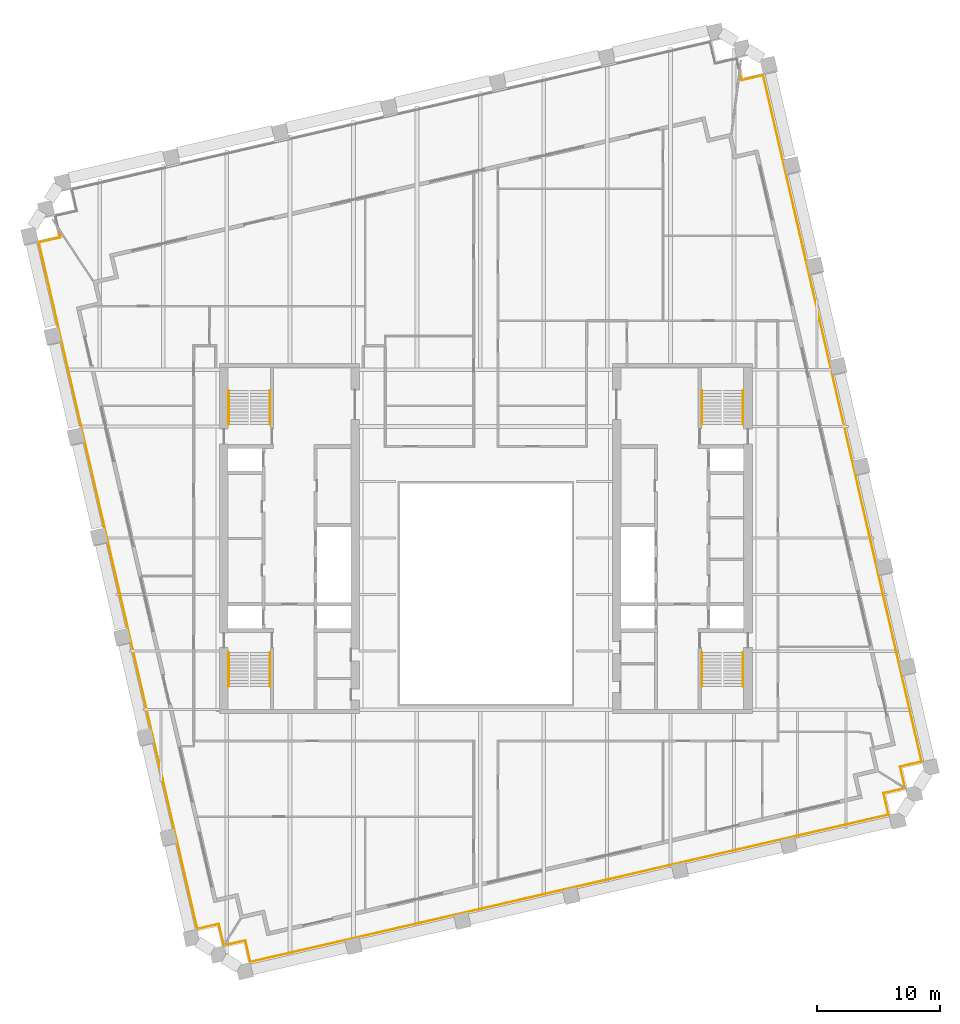
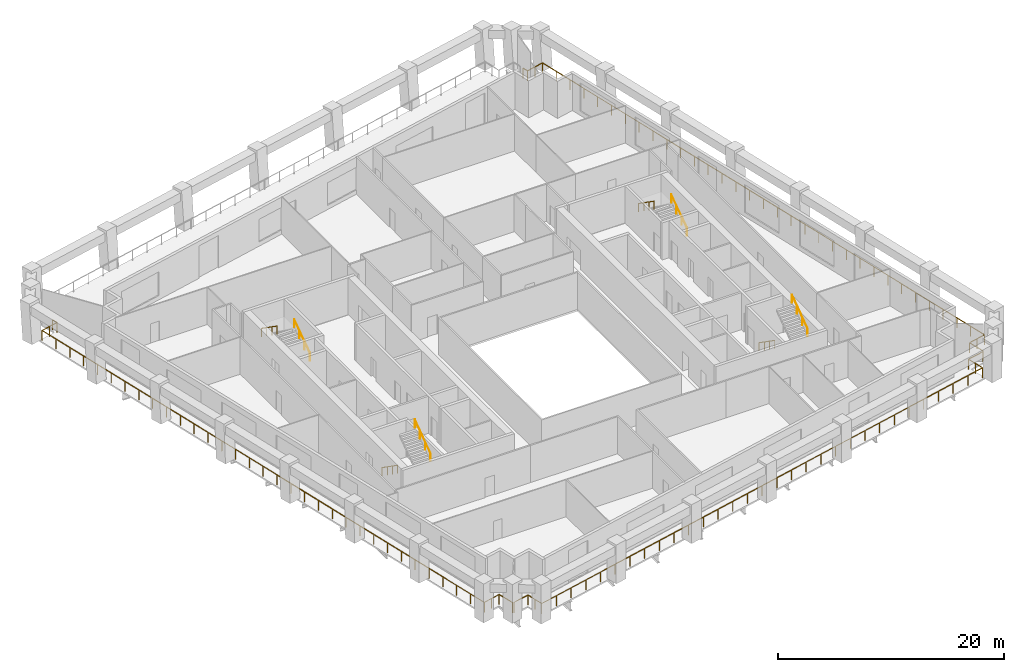
# One storey, part 10 of 11: 11 railings.
"""IFC4 building model written with IfcOpenShell, lengths in metres."""

from ifc_helpers import new_model, si_unit, direction, frame, origin, origin_2d, place, context, subcontext, project, spatial, circle, extrude, material, type_object, element, save


model = new_model("IFC4")

# Units and contexts
model_context = context("Model", 3, precision=1e-05, world=origin(), true_north=direction((0.0, 1.0)))
body_context = subcontext(model_context, "Body", "Model", "MODEL_VIEW")
ifc_project = project(units=[si_unit("LENGTHUNIT", "METRE"), si_unit("AREAUNIT", "SQUARE_METRE"), si_unit("VOLUMEUNIT", "CUBIC_METRE"), si_unit("PLANEANGLEUNIT", "RADIAN"), si_unit("MASSUNIT", "GRAM", prefix="KILO")], contexts=[model_context])

# Site, building, storey
site_placement = place(None, origin())
site = spatial("IfcSite", under=ifc_project, at=site_placement, CompositionType="ELEMENT")
building_placement = place(site_placement, origin())
building = spatial("IfcBuilding", under=site, at=building_placement, Name="Ogive Exchange Tower", CompositionType="ELEMENT")
storey_placement = place(building_placement, frame((0.0, 0.0, 213.60009765625)))
storey = spatial("IfcBuildingStorey", under=building, at=storey_placement, Name="L47", CompositionType="ELEMENT", Elevation=213.60009765625)

# Railings
ifc_material_1 = material(Name="Stainless steel 316", Category="steel")
railing_type_1 = type_object("IfcRailingType", Name="Guard 1100 stainless steel and glass", PredefinedType="GUARDRAIL", material=ifc_material_1)
railing_1_placement = place(storey_placement, frame((34.067138671875, -8.864013671875, -0.050048828125)))
element("IfcRailing", 1, at=railing_1_placement, inside=storey, type_object=railing_type_1, Name="Loggia guard 1", PredefinedType="GUARDRAIL", context=body_context, shape_type="SweptSolid", body=[
    extrude(circle(Radius=0.02392578125, at=origin_2d()), frame((0.0, 0.0, 1.076171875), z_axis=(-0.974364690374, -0.224974332206, 0.0), x_axis=(0.224974332206, -0.974364690374, 0.0)), (0.0, 0.0, 1.0), 1.7080078125),
    extrude(circle(Radius=0.02392578125, at=origin_2d()), frame((-1.664306640625, -0.38427734375, 1.076171875), z_axis=(0.224879318197, -0.974386623598, 0.0), x_axis=(0.974386623598, 0.224879318197, 0.0)), (0.0, 0.0, 1.0), 1.800048828125),
    extrude(circle(Radius=0.02392578125, at=origin_2d()), frame((-1.259521484375, -2.13818359375, 1.076171875), z_axis=(-0.97436998541, -0.224951398156, 0.0), x_axis=(0.224951398156, -0.97436998541, 0.0)), (0.0, 0.0, 1.0), 53.360107421875),
    extrude(circle(Radius=0.02392578125, at=origin_2d()), frame((-53.251953125, -14.1416015625, 1.076171875), z_axis=(-0.224879318197, 0.974386623598, 0.0), x_axis=(-0.974386623598, -0.224879318197, 0.0)), (0.0, 0.0, 1.0), 1.800048828125),
    extrude(circle(Radius=0.02392578125, at=origin_2d()), frame((-53.65673828125, -12.3876953125, 1.076171875), z_axis=(-0.974364690374, -0.224974332206, 0.0), x_axis=(0.224974332206, -0.974364690374, 0.0)), (0.0, 0.0, 1.0), 1.7080078125),
    extrude(circle(Radius=0.02099609375, at=origin_2d()), origin(), (0.0, 0.0, 1.0), 1.052001953125),
    extrude(circle(Radius=0.02099609375, at=origin_2d()), frame((-1.664306640625, -0.38427734375, 0.0)), (0.0, 0.0, 1.0), 1.052001953125),
    extrude(circle(Radius=0.02099609375, at=origin_2d()), frame((-1.4619140625, -1.26123046875, 0.0)), (0.0, 0.0, 1.0), 1.052001953125),
    extrude(circle(Radius=0.02099609375, at=origin_2d()), frame((-1.259521484375, -2.13818359375, 0.0)), (0.0, 0.0, 1.0), 1.052001953125),
    extrude(circle(Radius=0.02099609375, at=origin_2d()), frame((-2.99267578125, -2.538330078125, 0.0)), (0.0, 0.0, 1.0), 1.052001953125),
    extrude(circle(Radius=0.02099609375, at=origin_2d()), frame((-4.7255859375, -2.9384765625, 0.0)), (0.0, 0.0, 1.0), 1.052001953125),
    extrude(circle(Radius=0.02099609375, at=origin_2d()), frame((-6.458740234375, -3.338623046875, 0.0)), (0.0, 0.0, 1.0), 1.052001953125),
    extrude(circle(Radius=0.02099609375, at=origin_2d()), frame((-8.19189453125, -3.738525390625, 0.0)), (0.0, 0.0, 1.0), 1.052001953125),
    extrude(circle(Radius=0.02099609375, at=origin_2d()), frame((-9.9248046875, -4.138671875, 0.0)), (0.0, 0.0, 1.0), 1.052001953125),
    extrude(circle(Radius=0.02099609375, at=origin_2d()), frame((-11.657958984375, -4.538818359375, 0.0)), (0.0, 0.0, 1.0), 1.052001953125),
    extrude(circle(Radius=0.02099609375, at=origin_2d()), frame((-13.39111328125, -4.93896484375, 0.0)), (0.0, 0.0, 1.0), 1.052001953125),
    extrude(circle(Radius=0.02099609375, at=origin_2d()), frame((-15.124267578125, -5.339111328125, 0.0)), (0.0, 0.0, 1.0), 1.052001953125),
    extrude(circle(Radius=0.02099609375, at=origin_2d()), frame((-16.857177734375, -5.7392578125, 0.0)), (0.0, 0.0, 1.0), 1.052001953125),
    extrude(circle(Radius=0.02099609375, at=origin_2d()), frame((-18.59033203125, -6.139404296875, 0.0)), (0.0, 0.0, 1.0), 1.052001953125),
    extrude(circle(Radius=0.02099609375, at=origin_2d()), frame((-20.323486328125, -6.53955078125, 0.0)), (0.0, 0.0, 1.0), 1.052001953125),
    extrude(circle(Radius=0.02099609375, at=origin_2d()), frame((-22.056396484375, -6.939453125, 0.0)), (0.0, 0.0, 1.0), 1.052001953125),
    extrude(circle(Radius=0.02099609375, at=origin_2d()), frame((-23.78955078125, -7.339599609375, 0.0)), (0.0, 0.0, 1.0), 1.052001953125),
    extrude(circle(Radius=0.02099609375, at=origin_2d()), frame((-25.522705078125, -7.73974609375, 0.0)), (0.0, 0.0, 1.0), 1.052001953125),
    extrude(circle(Radius=0.02099609375, at=origin_2d()), frame((-27.255859375, -8.139892578125, 0.0)), (0.0, 0.0, 1.0), 1.052001953125),
    extrude(circle(Radius=0.02099609375, at=origin_2d()), frame((-28.98876953125, -8.5400390625, 0.0)), (0.0, 0.0, 1.0), 1.052001953125),
    extrude(circle(Radius=0.02099609375, at=origin_2d()), frame((-30.721923828125, -8.940185546875, 0.0)), (0.0, 0.0, 1.0), 1.052001953125),
    extrude(circle(Radius=0.02099609375, at=origin_2d()), frame((-32.455078125, -9.34033203125, 0.0)), (0.0, 0.0, 1.0), 1.052001953125),
    extrude(circle(Radius=0.02099609375, at=origin_2d()), frame((-34.18798828125, -9.740234375, 0.0)), (0.0, 0.0, 1.0), 1.052001953125),
    extrude(circle(Radius=0.02099609375, at=origin_2d()), frame((-35.921142578125, -10.140380859375, 0.0)), (0.0, 0.0, 1.0), 1.052001953125),
    extrude(circle(Radius=0.02099609375, at=origin_2d()), frame((-37.654296875, -10.54052734375, 0.0)), (0.0, 0.0, 1.0), 1.052001953125),
    extrude(circle(Radius=0.02099609375, at=origin_2d()), frame((-39.38720703125, -10.940673828125, 0.0)), (0.0, 0.0, 1.0), 1.052001953125),
    extrude(circle(Radius=0.02099609375, at=origin_2d()), frame((-41.120361328125, -11.3408203125, 0.0)), (0.0, 0.0, 1.0), 1.052001953125),
    extrude(circle(Radius=0.02099609375, at=origin_2d()), frame((-42.853515625, -11.740966796875, 0.0)), (0.0, 0.0, 1.0), 1.052001953125),
    extrude(circle(Radius=0.02099609375, at=origin_2d()), frame((-44.58642578125, -12.14111328125, 0.0)), (0.0, 0.0, 1.0), 1.052001953125),
    extrude(circle(Radius=0.02099609375, at=origin_2d()), frame((-46.319580078125, -12.541259765625, 0.0)), (0.0, 0.0, 1.0), 1.052001953125),
    extrude(circle(Radius=0.02099609375, at=origin_2d()), frame((-48.052734375, -12.941162109375, 0.0)), (0.0, 0.0, 1.0), 1.052001953125),
    extrude(circle(Radius=0.02099609375, at=origin_2d()), frame((-49.785888671875, -13.34130859375, 0.0)), (0.0, 0.0, 1.0), 1.052001953125),
    extrude(circle(Radius=0.02099609375, at=origin_2d()), frame((-51.518798828125, -13.741455078125, 0.0)), (0.0, 0.0, 1.0), 1.052001953125),
    extrude(circle(Radius=0.02099609375, at=origin_2d()), frame((-53.251953125, -14.1416015625, 0.0)), (0.0, 0.0, 1.0), 1.052001953125),
    extrude(circle(Radius=0.02099609375, at=origin_2d()), frame((-53.454345703125, -13.2646484375, 0.0)), (0.0, 0.0, 1.0), 1.052001953125),
    extrude(circle(Radius=0.02099609375, at=origin_2d()), frame((-53.65673828125, -12.3876953125, 0.0)), (0.0, 0.0, 1.0), 1.052001953125),
    extrude(circle(Radius=0.02099609375, at=origin_2d()), frame((-55.321044921875, -12.77197265625, 0.0)), (0.0, 0.0, 1.0), 1.052001953125),
])
railing_2_placement = place(storey_placement, frame((-21.364013671875, -21.567138671875, -0.050048828125)))
element("IfcRailing", 2, at=railing_2_placement, inside=storey, type_object=railing_type_1, Name="Loggia guard 2", PredefinedType="GUARDRAIL", context=body_context, shape_type="SweptSolid", body=[
    extrude(circle(Radius=0.02392578125, at=origin_2d()), frame((0.0, 0.0, 1.076171875), z_axis=(-0.224974332206, 0.974364690374, 0.0), x_axis=(-0.974364690374, -0.224974332206, 0.0)), (0.0, 0.0, 1.0), 1.7080078125),
    extrude(circle(Radius=0.02392578125, at=origin_2d()), frame((-0.38427734375, 1.664306640625, 1.076171875), z_axis=(-0.974386623598, -0.224879318197, 0.0), x_axis=(0.224879318197, -0.974386623598, 0.0)), (0.0, 0.0, 1.0), 1.800048828125),
    extrude(circle(Radius=0.02392578125, at=origin_2d()), frame((-2.13818359375, 1.259521484375, 1.076171875), z_axis=(-0.224953328077, 0.97436953985, 0.0), x_axis=(-0.97436953985, -0.224953328077, 0.0)), (0.0, 0.0, 1.0), 57.3935546875),
    extrude(circle(Radius=0.02392578125, at=origin_2d()), frame((-15.049072265625, 57.18212890625, 1.076171875), z_axis=(0.974386623598, 0.224879318197, 0.0), x_axis=(-0.224879318197, 0.974386623598, 0.0)), (0.0, 0.0, 1.0), 1.800048828125),
    extrude(circle(Radius=0.02392578125, at=origin_2d()), frame((-13.295166015625, 57.5869140625, 1.076171875), z_axis=(-0.224921847326, 0.974376807296, 0.0), x_axis=(-0.974376807296, -0.224921847326, 0.0)), (0.0, 0.0, 1.0), 0.572021484375),
    extrude(circle(Radius=0.02099609375, at=origin_2d()), origin(), (0.0, 0.0, 1.0), 1.052001953125),
    extrude(circle(Radius=0.02099609375, at=origin_2d()), frame((-0.38427734375, 1.664306640625, 0.0)), (0.0, 0.0, 1.0), 1.052001953125),
    extrude(circle(Radius=0.02099609375, at=origin_2d()), frame((-1.26123046875, 1.4619140625, 0.0)), (0.0, 0.0, 1.0), 1.052001953125),
    extrude(circle(Radius=0.02099609375, at=origin_2d()), frame((-2.13818359375, 1.259521484375, 0.0)), (0.0, 0.0, 1.0), 1.052001953125),
    extrude(circle(Radius=0.02099609375, at=origin_2d()), frame((-2.541748046875, 3.007080078125, 0.0)), (0.0, 0.0, 1.0), 1.052001953125),
    extrude(circle(Radius=0.02099609375, at=origin_2d()), frame((-2.945068359375, 4.754638671875, 0.0)), (0.0, 0.0, 1.0), 1.052001953125),
    extrude(circle(Radius=0.02099609375, at=origin_2d()), frame((-3.3486328125, 6.502197265625, 0.0)), (0.0, 0.0, 1.0), 1.052001953125),
    extrude(circle(Radius=0.02099609375, at=origin_2d()), frame((-3.751953125, 8.249755859375, 0.0)), (0.0, 0.0, 1.0), 1.052001953125),
    extrude(circle(Radius=0.02099609375, at=origin_2d()), frame((-4.155517578125, 9.997314453125, 0.0)), (0.0, 0.0, 1.0), 1.052001953125),
    extrude(circle(Radius=0.02099609375, at=origin_2d()), frame((-4.55908203125, 11.7451171875, 0.0)), (0.0, 0.0, 1.0), 1.052001953125),
    extrude(circle(Radius=0.02099609375, at=origin_2d()), frame((-4.96240234375, 13.49267578125, 0.0)), (0.0, 0.0, 1.0), 1.052001953125),
    extrude(circle(Radius=0.02099609375, at=origin_2d()), frame((-5.365966796875, 15.240234375, 0.0)), (0.0, 0.0, 1.0), 1.052001953125),
    extrude(circle(Radius=0.02099609375, at=origin_2d()), frame((-5.769287109375, 16.98779296875, 0.0)), (0.0, 0.0, 1.0), 1.052001953125),
    extrude(circle(Radius=0.02099609375, at=origin_2d()), frame((-6.1728515625, 18.7353515625, 0.0)), (0.0, 0.0, 1.0), 1.052001953125),
    extrude(circle(Radius=0.02099609375, at=origin_2d()), frame((-6.576416015625, 20.48291015625, 0.0)), (0.0, 0.0, 1.0), 1.052001953125),
    extrude(circle(Radius=0.02099609375, at=origin_2d()), frame((-6.979736328125, 22.23046875, 0.0)), (0.0, 0.0, 1.0), 1.052001953125),
    extrude(circle(Radius=0.02099609375, at=origin_2d()), frame((-7.38330078125, 23.97802734375, 0.0)), (0.0, 0.0, 1.0), 1.052001953125),
    extrude(circle(Radius=0.02099609375, at=origin_2d()), frame((-7.78662109375, 25.7255859375, 0.0)), (0.0, 0.0, 1.0), 1.052001953125),
    extrude(circle(Radius=0.02099609375, at=origin_2d()), frame((-8.190185546875, 27.47314453125, 0.0)), (0.0, 0.0, 1.0), 1.052001953125),
    extrude(circle(Radius=0.02099609375, at=origin_2d()), frame((-8.59375, 29.220703125, 0.0)), (0.0, 0.0, 1.0), 1.052001953125),
    extrude(circle(Radius=0.02099609375, at=origin_2d()), frame((-8.9970703125, 30.968505859375, 0.0)), (0.0, 0.0, 1.0), 1.052001953125),
    extrude(circle(Radius=0.02099609375, at=origin_2d()), frame((-9.400634765625, 32.716064453125, 0.0)), (0.0, 0.0, 1.0), 1.052001953125),
    extrude(circle(Radius=0.02099609375, at=origin_2d()), frame((-9.803955078125, 34.463623046875, 0.0)), (0.0, 0.0, 1.0), 1.052001953125),
    extrude(circle(Radius=0.02099609375, at=origin_2d()), frame((-10.20751953125, 36.211181640625, 0.0)), (0.0, 0.0, 1.0), 1.052001953125),
    extrude(circle(Radius=0.02099609375, at=origin_2d()), frame((-10.61083984375, 37.958740234375, 0.0)), (0.0, 0.0, 1.0), 1.052001953125),
    extrude(circle(Radius=0.02099609375, at=origin_2d()), frame((-11.014404296875, 39.706298828125, 0.0)), (0.0, 0.0, 1.0), 1.052001953125),
    extrude(circle(Radius=0.02099609375, at=origin_2d()), frame((-11.41796875, 41.453857421875, 0.0)), (0.0, 0.0, 1.0), 1.052001953125),
    extrude(circle(Radius=0.02099609375, at=origin_2d()), frame((-11.8212890625, 43.201416015625, 0.0)), (0.0, 0.0, 1.0), 1.052001953125),
    extrude(circle(Radius=0.02099609375, at=origin_2d()), frame((-12.224853515625, 44.948974609375, 0.0)), (0.0, 0.0, 1.0), 1.052001953125),
    extrude(circle(Radius=0.02099609375, at=origin_2d()), frame((-12.628173828125, 46.696533203125, 0.0)), (0.0, 0.0, 1.0), 1.052001953125),
    extrude(circle(Radius=0.02099609375, at=origin_2d()), frame((-13.03173828125, 48.4443359375, 0.0)), (0.0, 0.0, 1.0), 1.052001953125),
    extrude(circle(Radius=0.02099609375, at=origin_2d()), frame((-13.435302734375, 50.19189453125, 0.0)), (0.0, 0.0, 1.0), 1.052001953125),
    extrude(circle(Radius=0.02099609375, at=origin_2d()), frame((-13.838623046875, 51.939453125, 0.0)), (0.0, 0.0, 1.0), 1.052001953125),
    extrude(circle(Radius=0.02099609375, at=origin_2d()), frame((-14.2421875, 53.68701171875, 0.0)), (0.0, 0.0, 1.0), 1.052001953125),
    extrude(circle(Radius=0.02099609375, at=origin_2d()), frame((-14.6455078125, 55.4345703125, 0.0)), (0.0, 0.0, 1.0), 1.052001953125),
    extrude(circle(Radius=0.02099609375, at=origin_2d()), frame((-15.049072265625, 57.18212890625, 0.0)), (0.0, 0.0, 1.0), 1.052001953125),
    extrude(circle(Radius=0.02099609375, at=origin_2d()), frame((-14.172119140625, 57.384521484375, 0.0)), (0.0, 0.0, 1.0), 1.052001953125),
    extrude(circle(Radius=0.02099609375, at=origin_2d()), frame((-13.295166015625, 57.5869140625, 0.0)), (0.0, 0.0, 1.0), 1.052001953125),
    extrude(circle(Radius=0.02099609375, at=origin_2d()), frame((-13.423828125, 58.144287109375, 0.0)), (0.0, 0.0, 1.0), 1.052001953125),
])
railing_3_placement = place(storey_placement, frame((20.71240234375, 49.390380859375, -0.050048828125)))
element("IfcRailing", 3, at=railing_3_placement, inside=storey, type_object=railing_type_1, Name="Loggia guard 4", PredefinedType="GUARDRAIL", context=body_context, shape_type="SweptSolid", body=[
    extrude(circle(Radius=0.02392578125, at=origin_2d()), frame((0.0, 0.0, 1.076171875), z_axis=(0.224921847326, -0.974376807296, 0.0), x_axis=(0.974376807296, 0.224921847326, 0.0)), (0.0, 0.0, 1.0), 0.572021484375),
    extrude(circle(Radius=0.02392578125, at=origin_2d()), frame((0.128662109375, -0.557373046875, 1.076171875), z_axis=(0.974386623598, 0.224879318197, 0.0), x_axis=(-0.224879318197, 0.974386623598, 0.0)), (0.0, 0.0, 1.0), 1.800048828125),
    extrude(circle(Radius=0.02392578125, at=origin_2d()), frame((1.882568359375, -0.152587890625, 1.076171875), z_axis=(0.224949289537, -0.974370472221, 0.0), x_axis=(0.974370472221, 0.224949289537, 0.0)), (0.0, 0.0, 1.0), 57.3935546875),
    extrude(circle(Radius=0.02392578125, at=origin_2d()), frame((14.793212890625, -56.0751953125, 1.076171875), z_axis=(-0.974386623598, -0.224879318197, 0.0), x_axis=(0.224879318197, -0.974386623598, 0.0)), (0.0, 0.0, 1.0), 1.800048828125),
    extrude(circle(Radius=0.02392578125, at=origin_2d()), frame((13.039306640625, -56.47998046875, 1.076171875), z_axis=(0.224974332206, -0.974364690374, 0.0), x_axis=(0.974364690374, 0.224974332206, 0.0)), (0.0, 0.0, 1.0), 1.7080078125),
    extrude(circle(Radius=0.02099609375, at=origin_2d()), origin(), (0.0, 0.0, 1.0), 1.052001953125),
    extrude(circle(Radius=0.02099609375, at=origin_2d()), frame((0.128662109375, -0.557373046875, 0.0)), (0.0, 0.0, 1.0), 1.052001953125),
    extrude(circle(Radius=0.02099609375, at=origin_2d()), frame((1.005615234375, -0.35498046875, 0.0)), (0.0, 0.0, 1.0), 1.052001953125),
    extrude(circle(Radius=0.02099609375, at=origin_2d()), frame((1.882568359375, -0.152587890625, 0.0)), (0.0, 0.0, 1.0), 1.052001953125),
    extrude(circle(Radius=0.02099609375, at=origin_2d()), frame((2.2861328125, -1.900146484375, 0.0)), (0.0, 0.0, 1.0), 1.052001953125),
    extrude(circle(Radius=0.02099609375, at=origin_2d()), frame((2.689453125, -3.647705078125, 0.0)), (0.0, 0.0, 1.0), 1.052001953125),
    extrude(circle(Radius=0.02099609375, at=origin_2d()), frame((3.093017578125, -5.395263671875, 0.0)), (0.0, 0.0, 1.0), 1.052001953125),
    extrude(circle(Radius=0.02099609375, at=origin_2d()), frame((3.496337890625, -7.142822265625, 0.0)), (0.0, 0.0, 1.0), 1.052001953125),
    extrude(circle(Radius=0.02099609375, at=origin_2d()), frame((3.89990234375, -8.890380859375, 0.0)), (0.0, 0.0, 1.0), 1.052001953125),
    extrude(circle(Radius=0.02099609375, at=origin_2d()), frame((4.30322265625, -10.63818359375, 0.0)), (0.0, 0.0, 1.0), 1.052001953125),
    extrude(circle(Radius=0.02099609375, at=origin_2d()), frame((4.706787109375, -12.3857421875, 0.0)), (0.0, 0.0, 1.0), 1.052001953125),
    extrude(circle(Radius=0.02099609375, at=origin_2d()), frame((5.1103515625, -14.13330078125, 0.0)), (0.0, 0.0, 1.0), 1.052001953125),
    extrude(circle(Radius=0.02099609375, at=origin_2d()), frame((5.513671875, -15.880859375, 0.0)), (0.0, 0.0, 1.0), 1.052001953125),
    extrude(circle(Radius=0.02099609375, at=origin_2d()), frame((5.917236328125, -17.62841796875, 0.0)), (0.0, 0.0, 1.0), 1.052001953125),
    extrude(circle(Radius=0.02099609375, at=origin_2d()), frame((6.320556640625, -19.3759765625, 0.0)), (0.0, 0.0, 1.0), 1.052001953125),
    extrude(circle(Radius=0.02099609375, at=origin_2d()), frame((6.72412109375, -21.12353515625, 0.0)), (0.0, 0.0, 1.0), 1.052001953125),
    extrude(circle(Radius=0.02099609375, at=origin_2d()), frame((7.12744140625, -22.87109375, 0.0)), (0.0, 0.0, 1.0), 1.052001953125),
    extrude(circle(Radius=0.02099609375, at=origin_2d()), frame((7.531005859375, -24.61865234375, 0.0)), (0.0, 0.0, 1.0), 1.052001953125),
    extrude(circle(Radius=0.02099609375, at=origin_2d()), frame((7.934326171875, -26.3662109375, 0.0)), (0.0, 0.0, 1.0), 1.052001953125),
    extrude(circle(Radius=0.02099609375, at=origin_2d()), frame((8.337890625, -28.11376953125, 0.0)), (0.0, 0.0, 1.0), 1.052001953125),
    extrude(circle(Radius=0.02099609375, at=origin_2d()), frame((8.741455078125, -29.861572265625, 0.0)), (0.0, 0.0, 1.0), 1.052001953125),
    extrude(circle(Radius=0.02099609375, at=origin_2d()), frame((9.144775390625, -31.609130859375, 0.0)), (0.0, 0.0, 1.0), 1.052001953125),
    extrude(circle(Radius=0.02099609375, at=origin_2d()), frame((9.54833984375, -33.356689453125, 0.0)), (0.0, 0.0, 1.0), 1.052001953125),
    extrude(circle(Radius=0.02099609375, at=origin_2d()), frame((9.95166015625, -35.104248046875, 0.0)), (0.0, 0.0, 1.0), 1.052001953125),
    extrude(circle(Radius=0.02099609375, at=origin_2d()), frame((10.355224609375, -36.851806640625, 0.0)), (0.0, 0.0, 1.0), 1.052001953125),
    extrude(circle(Radius=0.02099609375, at=origin_2d()), frame((10.758544921875, -38.599365234375, 0.0)), (0.0, 0.0, 1.0), 1.052001953125),
    extrude(circle(Radius=0.02099609375, at=origin_2d()), frame((11.162109375, -40.346923828125, 0.0)), (0.0, 0.0, 1.0), 1.052001953125),
    extrude(circle(Radius=0.02099609375, at=origin_2d()), frame((11.5654296875, -42.094482421875, 0.0)), (0.0, 0.0, 1.0), 1.052001953125),
    extrude(circle(Radius=0.02099609375, at=origin_2d()), frame((11.968994140625, -43.842041015625, 0.0)), (0.0, 0.0, 1.0), 1.052001953125),
    extrude(circle(Radius=0.02099609375, at=origin_2d()), frame((12.37255859375, -45.589599609375, 0.0)), (0.0, 0.0, 1.0), 1.052001953125),
    extrude(circle(Radius=0.02099609375, at=origin_2d()), frame((12.77587890625, -47.33740234375, 0.0)), (0.0, 0.0, 1.0), 1.052001953125),
    extrude(circle(Radius=0.02099609375, at=origin_2d()), frame((13.179443359375, -49.0849609375, 0.0)), (0.0, 0.0, 1.0), 1.052001953125),
    extrude(circle(Radius=0.02099609375, at=origin_2d()), frame((13.582763671875, -50.83251953125, 0.0)), (0.0, 0.0, 1.0), 1.052001953125),
    extrude(circle(Radius=0.02099609375, at=origin_2d()), frame((13.986328125, -52.580078125, 0.0)), (0.0, 0.0, 1.0), 1.052001953125),
    extrude(circle(Radius=0.02099609375, at=origin_2d()), frame((14.3896484375, -54.32763671875, 0.0)), (0.0, 0.0, 1.0), 1.052001953125),
    extrude(circle(Radius=0.02099609375, at=origin_2d()), frame((14.793212890625, -56.0751953125, 0.0)), (0.0, 0.0, 1.0), 1.052001953125),
    extrude(circle(Radius=0.02099609375, at=origin_2d()), frame((13.916259765625, -56.277587890625, 0.0)), (0.0, 0.0, 1.0), 1.052001953125),
    extrude(circle(Radius=0.02099609375, at=origin_2d()), frame((13.039306640625, -56.47998046875, 0.0)), (0.0, 0.0, 1.0), 1.052001953125),
    extrude(circle(Radius=0.02099609375, at=origin_2d()), frame((13.423583984375, -58.144287109375, 0.0)), (0.0, 0.0, 1.0), 1.052001953125),
])
ifc_material_2 = material(Name="Stainless steel", Category="steel")
railing_type_2 = type_object("IfcRailingType", Name="Stair handrail 900", PredefinedType="HANDRAIL", material=ifc_material_2)
railing_4_placement = place(storey_placement, frame((-20.949951171875, 2.199951171875, 0.1748046875)))
element("IfcRailing", 4, at=railing_4_placement, inside=storey, type_object=railing_type_2, Name="L47 ST1 stair handrail 1", PredefinedType="HANDRAIL", context=body_context, shape_type="SweptSolid", body=[
    extrude(circle(Radius=0.02392578125, at=origin_2d()), frame((0.0, 0.0, 0.8759765625), z_axis=(0.0, -0.819225086817, 0.573472106672), x_axis=(1.0, 0.0, 0.0)), (0.0, 0.0, 1.0), 3.35693359375),
    extrude(circle(Radius=0.02099609375, at=origin_2d()), origin(), (0.0, 0.0, 1.0), 0.851806640625),
    extrude(circle(Radius=0.02099609375, at=origin_2d()), frame((0.0, -0.916748046875, 0.6416015625)), (0.0, 0.0, 1.0), 0.851806640625),
    extrude(circle(Radius=0.02099609375, at=origin_2d()), frame((0.0, -1.833251953125, 1.283447265625)), (0.0, 0.0, 1.0), 0.851806640625),
    extrude(circle(Radius=0.02099609375, at=origin_2d()), frame((0.0, -2.75, 1.925048828125)), (0.0, 0.0, 1.0), 0.851806640625),
])
for number, where, name in (
    (5, (-17.60009765625, -0.550048828125, 2.27490234375), "L47 ST1 stair handrail 2"),
    (6, (-17.60009765625, 20.800048828125, 0.1748046875), "L47 ST2 stair handrail 1"),
):
    element("IfcRailing", number, at=place(storey_placement, frame(where)), inside=storey, type_object=railing_type_2, Name=name, PredefinedType="HANDRAIL", context=body_context, shape_type="SweptSolid", body=[
        extrude(circle(Radius=0.02392578125, at=origin_2d()), frame((0.0, 0.0, 0.8759765625), z_axis=(0.0, 0.819225086817, 0.573472106672), x_axis=(-1.0, 0.0, 0.0)), (0.0, 0.0, 1.0), 3.35693359375),
        extrude(circle(Radius=0.02099609375, at=origin_2d()), origin(), (0.0, 0.0, 1.0), 0.851806640625),
        extrude(circle(Radius=0.02099609375, at=origin_2d()), frame((0.0, 0.916748046875, 0.6416015625)), (0.0, 0.0, 1.0), 0.851806640625),
        extrude(circle(Radius=0.02099609375, at=origin_2d()), frame((0.0, 1.833251953125, 1.283447265625)), (0.0, 0.0, 1.0), 0.851806640625),
        extrude(circle(Radius=0.02099609375, at=origin_2d()), frame((0.0, 2.75, 1.925048828125)), (0.0, 0.0, 1.0), 0.851806640625),
    ])
for number, where, name in (
    (7, (-20.949951171875, 23.550048828125, 2.27490234375), "L47 ST2 stair handrail 2"),
    (8, (17.60009765625, 2.199951171875, 0.1748046875), "L47 ST3 stair handrail 1"),
):
    element("IfcRailing", number, at=place(storey_placement, frame(where)), inside=storey, type_object=railing_type_2, Name=name, PredefinedType="HANDRAIL", context=body_context, shape_type="SweptSolid", body=[
        extrude(circle(Radius=0.02392578125, at=origin_2d()), frame((0.0, 0.0, 0.8759765625), z_axis=(0.0, -0.819225086817, 0.573472106672), x_axis=(1.0, 0.0, 0.0)), (0.0, 0.0, 1.0), 3.35693359375),
        extrude(circle(Radius=0.02099609375, at=origin_2d()), origin(), (0.0, 0.0, 1.0), 0.851806640625),
        extrude(circle(Radius=0.02099609375, at=origin_2d()), frame((0.0, -0.916748046875, 0.6416015625)), (0.0, 0.0, 1.0), 0.851806640625),
        extrude(circle(Radius=0.02099609375, at=origin_2d()), frame((0.0, -1.833251953125, 1.283447265625)), (0.0, 0.0, 1.0), 0.851806640625),
        extrude(circle(Radius=0.02099609375, at=origin_2d()), frame((0.0, -2.75, 1.925048828125)), (0.0, 0.0, 1.0), 0.851806640625),
    ])
for number, where, name in (
    (9, (20.949951171875, -0.550048828125, 2.27490234375), "L47 ST3 stair handrail 2"),
    (10, (20.949951171875, 20.800048828125, 0.1748046875), "L47 ST4 stair handrail 1"),
):
    element("IfcRailing", number, at=place(storey_placement, frame(where)), inside=storey, type_object=railing_type_2, Name=name, PredefinedType="HANDRAIL", context=body_context, shape_type="SweptSolid", body=[
        extrude(circle(Radius=0.02392578125, at=origin_2d()), frame((0.0, 0.0, 0.8759765625), z_axis=(0.0, 0.819225086817, 0.573472106672), x_axis=(-1.0, 0.0, 0.0)), (0.0, 0.0, 1.0), 3.35693359375),
        extrude(circle(Radius=0.02099609375, at=origin_2d()), origin(), (0.0, 0.0, 1.0), 0.851806640625),
        extrude(circle(Radius=0.02099609375, at=origin_2d()), frame((0.0, 0.916748046875, 0.6416015625)), (0.0, 0.0, 1.0), 0.851806640625),
        extrude(circle(Radius=0.02099609375, at=origin_2d()), frame((0.0, 1.833251953125, 1.283447265625)), (0.0, 0.0, 1.0), 0.851806640625),
        extrude(circle(Radius=0.02099609375, at=origin_2d()), frame((0.0, 2.75, 1.925048828125)), (0.0, 0.0, 1.0), 0.851806640625),
    ])
railing_5_placement = place(storey_placement, frame((17.60009765625, 23.550048828125, 2.27490234375)))
element("IfcRailing", 11, at=railing_5_placement, inside=storey, type_object=railing_type_2, Name="L47 ST4 stair handrail 2", PredefinedType="HANDRAIL", context=body_context, shape_type="SweptSolid", body=[
    extrude(circle(Radius=0.02392578125, at=origin_2d()), frame((0.0, 0.0, 0.8759765625), z_axis=(0.0, -0.819225086817, 0.573472106672), x_axis=(1.0, 0.0, 0.0)), (0.0, 0.0, 1.0), 3.35693359375),
    extrude(circle(Radius=0.02099609375, at=origin_2d()), origin(), (0.0, 0.0, 1.0), 0.851806640625),
    extrude(circle(Radius=0.02099609375, at=origin_2d()), frame((0.0, -0.916748046875, 0.6416015625)), (0.0, 0.0, 1.0), 0.851806640625),
    extrude(circle(Radius=0.02099609375, at=origin_2d()), frame((0.0, -1.833251953125, 1.283447265625)), (0.0, 0.0, 1.0), 0.851806640625),
    extrude(circle(Radius=0.02099609375, at=origin_2d()), frame((0.0, -2.75, 1.925048828125)), (0.0, 0.0, 1.0), 0.851806640625),
])

save(model, "model.ifc")
